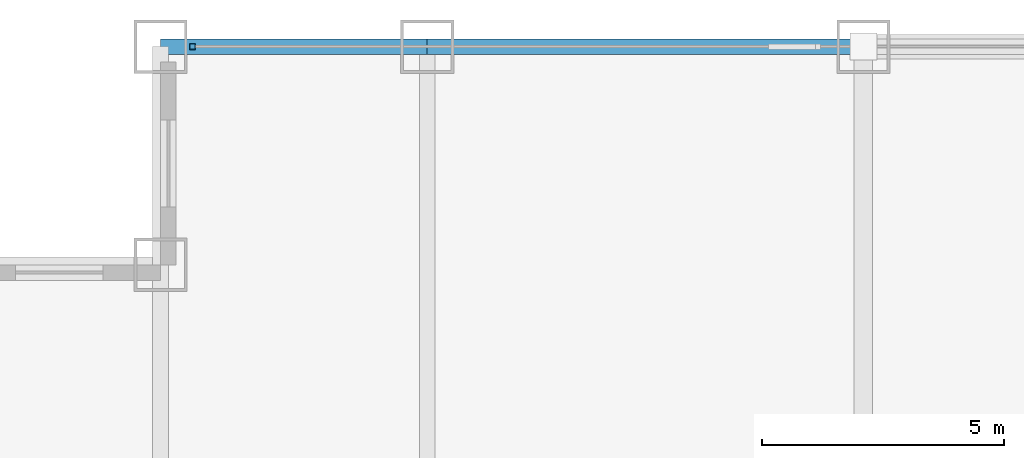
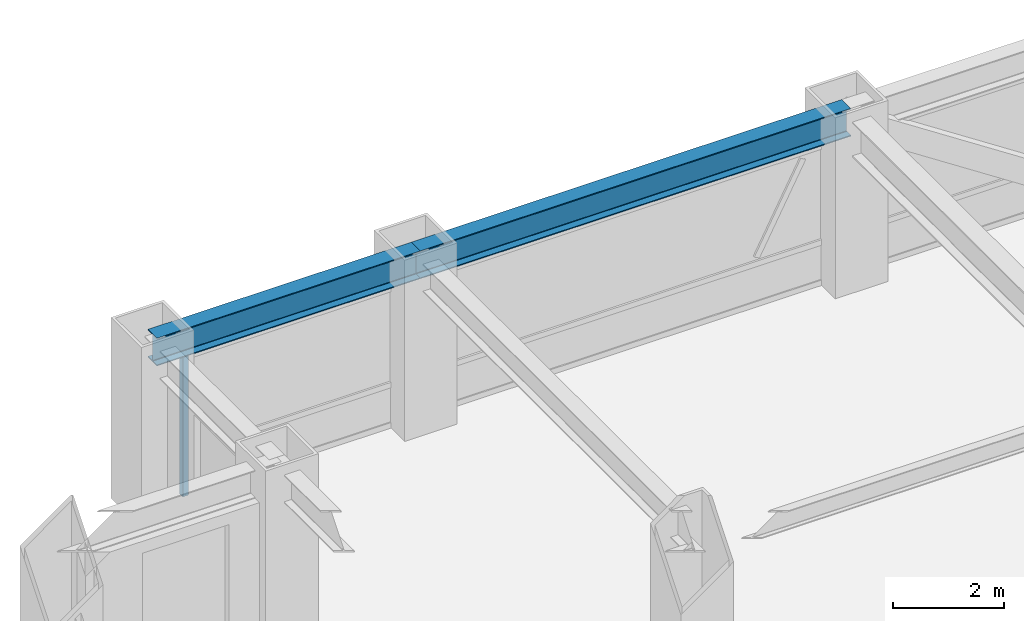
# One storey, part 14 of 24: 2 beams, 1 member, 1 element without a shape of its own.
"""IFC4 building model written with IfcOpenShell, lengths in metres."""

from ifc_helpers import new_model, si_unit, direction, frame, origin, origin_2d, place, context, subcontext, project, spatial, hollow_rectangle, i_section, extrude, source, transform, mapped, material, material_profile, profile_set, type_object, element, aggregate, save


model = new_model("IFC4")

# Units and contexts
model_context = context("Model", 3, precision=1e-05, world=origin(), true_north=direction((0.0, 1.0)))
body_context = subcontext(model_context, "Body", "Model", "MODEL_VIEW")
ifc_project = project(units=[si_unit("LENGTHUNIT", "METRE"), si_unit("AREAUNIT", "SQUARE_METRE"), si_unit("VOLUMEUNIT", "CUBIC_METRE"), si_unit("PLANEANGLEUNIT", "RADIAN"), si_unit("MASSUNIT", "GRAM", prefix="KILO")], contexts=[model_context])

# Site, building, storey
site_placement = place(None, origin())
site = spatial("IfcSite", under=ifc_project, at=site_placement, CompositionType="ELEMENT")
building_placement = place(site_placement, origin())
building = spatial("IfcBuilding", under=site, at=building_placement, Name="Khorayat Bourse Tower", CompositionType="ELEMENT")
storey_placement = place(building_placement, frame((0.0, 0.0, 167.10009765625)))
storey = spatial("IfcBuildingStorey", under=building, at=storey_placement, Name="L38", CompositionType="ELEMENT", Elevation=167.10009765625)

# Beams
ifc_material_1 = material(Name="Steel ASTM A992 Grade 50", Category="steel")
ifc_material_profile_1 = material_profile(ifc_material_1, i_section(OverallWidth=0.324951171875, OverallDepth=0.615966796875, WebThickness=0.013916015625, FlangeThickness=0.021484375, FilletRadius=0.01611328125, at=origin_2d()), Name="W610X174")
ifc_profile_set_1 = profile_set([ifc_material_profile_1], Name="Steel ASTM A992 Grade 50")
beam_type = type_object("IfcBeamType", Name="BM-SPAN-610", PredefinedType="SPANDREL", material=ifc_profile_set_1)
shared_shape_1 = source(origin(), body_context, "Body", "SweptSolid", [
    extrude(i_section(OverallWidth=0.324951171875, OverallDepth=0.615966796875, WebThickness=0.013916015625, FlangeThickness=0.021484375, FilletRadius=0.01611328125, at=origin_2d()), origin(), (0.0, 0.0, 1.0), 5.5),
])
beam_1_placement = place(storey_placement, frame((-25.5, 30.0, 3.471923828125), z_axis=(1.0, 0.0, 0.0), x_axis=(0.0, 1.0, 0.0)))
element("IfcBeam", 1, at=beam_1_placement, inside=storey, type_object=beam_type, Name="L38 BM-SPAN-610 BM-L38-SPN-051", PredefinedType="SPANDREL", context=body_context, shape_type="MappedRepresentation", body=[
    mapped(shared_shape_1, transform((0.0, 0.0, 0.0), scale=1.0)),
])
shared_shape_2 = source(origin(), body_context, "Body", "SweptSolid", [
    extrude(i_section(OverallWidth=0.324951171875, OverallDepth=0.615966796875, WebThickness=0.013916015625, FlangeThickness=0.021484375, FilletRadius=0.01611328125, at=origin_2d()), origin(), (0.0, 0.0, 1.0), 9.0),
])
beam_2_placement = place(storey_placement, frame((-20.0, 30.0, 3.471923828125), z_axis=(1.0, 0.0, 0.0), x_axis=(0.0, 1.0, 0.0)))
element("IfcBeam", 2, at=beam_2_placement, inside=storey, type_object=beam_type, Name="L38 BM-SPAN-610 BM-L38-SPN-050", PredefinedType="SPANDREL", context=body_context, shape_type="MappedRepresentation", body=[
    mapped(shared_shape_2, transform((0.0, 0.0, 0.0), scale=1.0)),
])

# Curtain wall, member
ifc_material_2 = material(Name="Aluminium EN AW-6063 T6", Category="aluminium")
curtain_wall_type = type_object("IfcCurtainWallType", Name="CW-SYS-03", PredefinedType="NOTDEFINED", material=ifc_material_2)
curtain_wall_placement = place(storey_placement, origin())
curtain_wall = element("IfcCurtainWall", 3, at=curtain_wall_placement, inside=storey, type_object=curtain_wall_type, Name="L38 Curtain Wall CW-L38-N1", PredefinedType="NOTDEFINED")
ifc_material_profile_2 = material_profile(ifc_material_2, hollow_rectangle(XDim=0.1201171875, YDim=0.1201171875, WallThickness=0.0048828125, at=origin_2d()), Name="ALU 120x120x5")
ifc_profile_set_2 = profile_set([ifc_material_profile_2], Name="Aluminium EN AW-6063 T6")
member_type = type_object("IfcMemberType", Name="CWM-VERT-120", PredefinedType="MULLION", material=ifc_profile_set_2)
shared_shape_3 = source(origin(), body_context, "Body", "SweptSolid", [
    extrude(hollow_rectangle(XDim=0.1201171875, YDim=0.1201171875, WallThickness=0.0048828125, at=origin_2d()), origin(), (0.0, 0.0, 1.0), 3.1298828125),
])
member_placement = place(storey_placement, frame((-24.840087890625, 30.0, 0.0), z_axis=(0.0, 0.0, 1.0), x_axis=(0.0, 1.0, 0.0)))
member = element("IfcMember", 4, at=member_placement, type_object=member_type, Name="CW-L38-N1 Vertical Mullion 1", PredefinedType="MULLION", context=body_context, shape_type="MappedRepresentation", body=[
    mapped(shared_shape_3, transform((0.0, 0.0, 0.0), scale=1.0)),
])
aggregate(curtain_wall, [member])

save(model, "model.ifc")
